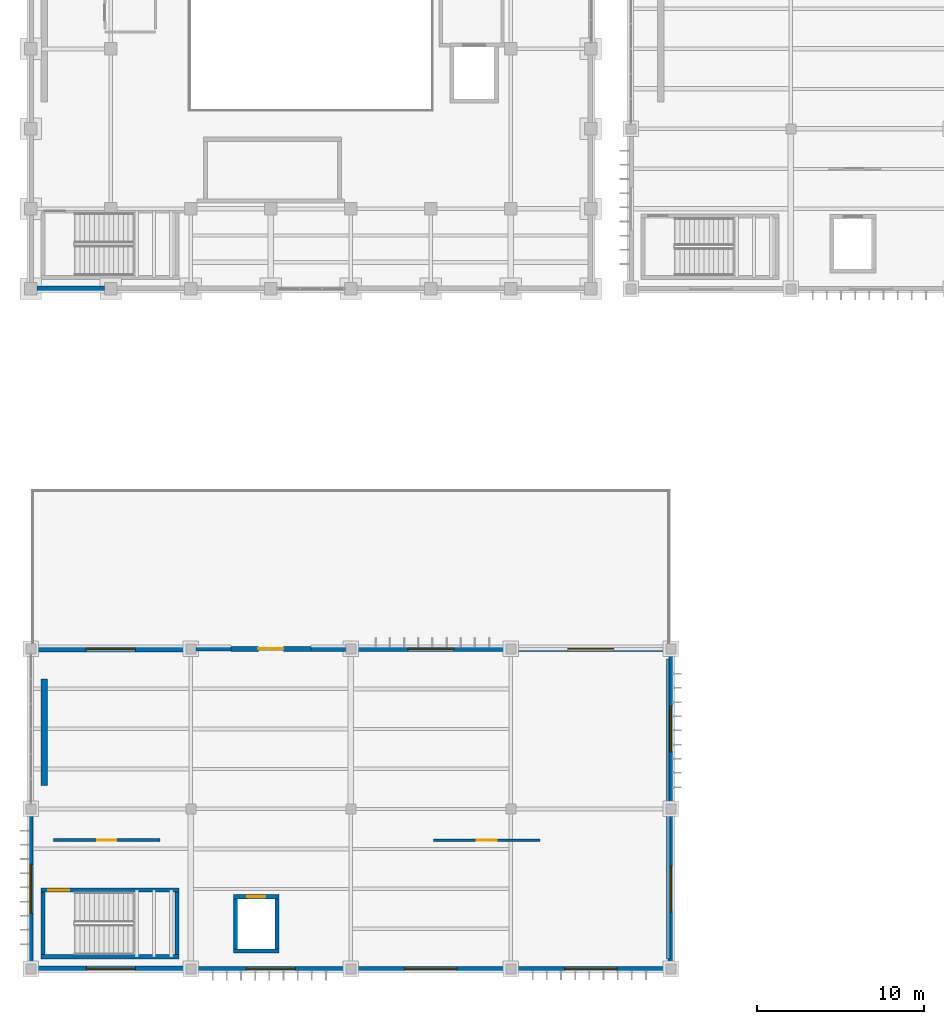
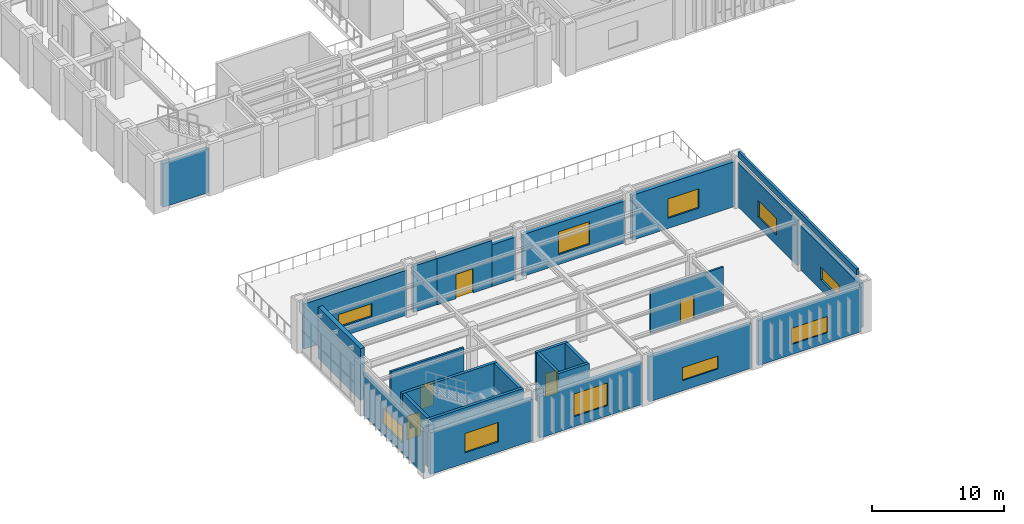
# One storey, part 55 of 83: 26 walls, 10 windows, 5 doors, 15 openings.
"""IFC4 building model written with IfcOpenShell, lengths in metres."""

from ifc_helpers import new_model, si_unit, direction, frame, frame_2d, origin, place, context, subcontext, project, spatial, rectangle, extrude, material, layer, layer_set, type_object, element, fill, save


model = new_model("IFC4")

# Units and contexts
model_context = context("Model", 3, precision=1e-05, world=origin(), true_north=direction((0.0, 1.0)))
body_context = subcontext(model_context, "Body", "Model", "MODEL_VIEW")
ifc_project = project(units=[si_unit("LENGTHUNIT", "METRE"), si_unit("AREAUNIT", "SQUARE_METRE"), si_unit("VOLUMEUNIT", "CUBIC_METRE"), si_unit("PLANEANGLEUNIT", "RADIAN"), si_unit("MASSUNIT", "GRAM", prefix="KILO")], contexts=[model_context])

# Site, building, storey
site_placement = place(None, origin())
site = spatial("IfcSite", under=ifc_project, at=site_placement, CompositionType="ELEMENT")
building_placement = place(site_placement, origin())
building = spatial("IfcBuilding", under=site, at=building_placement, Name="Mavantir Sound Aquarium", CompositionType="ELEMENT")
storey_placement = place(building_placement, frame((0.0, 0.0, 10.5)))
storey = spatial("IfcBuildingStorey", under=building, at=storey_placement, Name="L02", CompositionType="ELEMENT", Elevation=10.5)

# Wall, opening, door
ifc_material_1 = material(Name="Coral-Buff Architectural Precast Concrete C40/50", Category="concrete")
ifc_layer_1 = layer(ifc_material_1, 0.31005859375, Name="Coral-Buff Architectural Precast Concrete C40/50")
ifc_layer_set_1 = layer_set([ifc_layer_1], Name="Coral-Buff Architectural Precast Concrete C40/50")
wall_type_1 = type_object("IfcWallType", Name="EW-CORAL-310", PredefinedType="SOLIDWALL", material=ifc_layer_set_1)
wall_1_placement = place(storey_placement, frame((16.800048828125, 19.199951171875, 0.0), z_axis=(0.0, 0.0, 1.0), x_axis=(-1.0, 0.0, 0.0)))
wall_1 = element("IfcWall", 1, at=wall_1_placement, inside=storey, type_object=wall_type_1, Name="L02 terrace portal wall 14", PredefinedType="SOLIDWALL", context=body_context, shape_type="SweptSolid", body=[
    extrude(rectangle(XDim=4.800048828125, YDim=0.31005859375, at=frame_2d((2.39990234375, 0.0))), origin(), (0.0, 0.0, 1.0), 4.282958984375),
])
opening_1_placement = place(wall_1_placement, frame((3.14990234375, 0.0, 0.0), z_axis=(0.0, 0.0, 1.0), x_axis=(-1.0, 0.0, 0.0)))
opening_1 = element("IfcOpeningElement", 2, at=opening_1_placement, cuts=wall_1, Name="Opening ETD-01", PredefinedType="OPENING", context=body_context, shape_type="SweptSolid", body=[
    extrude(rectangle(XDim=1.5, YDim=2.25, at=frame_2d((0.75, 1.125))), frame((0.0, 0.1650390625, 0.0), z_axis=(0.0, -1.0, 0.0), x_axis=(1.0, 0.0, 0.0)), (0.0, 0.0, 1.0), 0.330078125),
])
ifc_material_2 = material(Name="Marine-Grade Anodised Aluminium and Laminated Glass", Category="aluminium")
door_type_1 = type_object("IfcDoorType", Name="DR-TER-150", OperationType="NOTDEFINED", PredefinedType="DOOR", material=ifc_material_2)
door_1_placement = place(opening_1_placement, origin())
door_1 = element("IfcDoor", 3, at=door_1_placement, inside=storey, type_object=door_type_1, Name="L02 terrace access door 14", OperationType="SINGLE_SWING_LEFT", OverallHeight=2.25, OverallWidth=1.5, PredefinedType="DOOR", context=body_context, shape_type="SweptSolid", body=[
    extrude(rectangle(XDim=1.5, YDim=2.25, at=frame_2d((0.75, 1.125))), frame((0.0, 0.02490234375, 0.0), z_axis=(0.0, -1.0, 0.0), x_axis=(1.0, 0.0, 0.0)), (0.0, 0.0, 1.0), 0.050048828125),
])
fill(opening_1, door_1)

# Wall, opening, window
wall_2_placement = place(storey_placement, frame((28.491943359375, 19.199951171875, 0.0), z_axis=(0.0, 0.0, 1.0), x_axis=(-1.0, 0.0, 0.0)))
wall_2 = element("IfcWall", 4, at=wall_2_placement, inside=storey, type_object=wall_type_1, Name="L02 exterior facade wall EW-02 242", PredefinedType="SOLIDWALL", context=body_context, shape_type="SweptSolid", body=[
    extrude(rectangle(XDim=8.98388671875, YDim=0.31005859375, at=frame_2d((4.491943359375, 0.0))), origin(), (0.0, 0.0, 1.0), 3.875),
])
opening_2_placement = place(wall_2_placement, frame((3.116943359375, 0.0, 0.949951171875)))
opening_2 = element("IfcOpeningElement", 5, at=opening_2_placement, cuts=wall_2, Name="Opening W-40", PredefinedType="OPENING", context=body_context, shape_type="SweptSolid", body=[
    extrude(rectangle(XDim=2.75, YDim=2.10009765625, at=frame_2d((1.375, 1.050048828125))), frame((0.0, 0.1650390625, 0.0), z_axis=(0.0, -1.0, 0.0), x_axis=(1.0, 0.0, 0.0)), (0.0, 0.0, 1.0), 0.330078125),
])
ifc_material_3 = material(Name="Thermally Broken Aluminium and Low-E Glass", Category="aluminium")
window_type_1 = type_object("IfcWindowType", Name="WIN-EXT-40", PartitioningType="TRIPLE_PANEL_VERTICAL", PredefinedType="WINDOW", material=ifc_material_3)
window_1_placement = place(opening_2_placement, origin())
window_1 = element("IfcWindow", 6, at=window_1_placement, inside=storey, type_object=window_type_1, Name="L02 facade window W-40 88", OverallHeight=2.10009765625, OverallWidth=2.75, PartitioningType="SINGLE_PANEL", PredefinedType="WINDOW", context=body_context, shape_type="SweptSolid", body=[
    extrude(rectangle(XDim=2.75, YDim=2.10009765625, at=frame_2d((1.375, 1.050048828125))), frame((0.0, 0.030029296875, 0.0), z_axis=(0.0, -1.0, 0.0), x_axis=(1.0, 0.0, 0.0)), (0.0, 0.0, 1.0), 0.06005859375),
])
fill(opening_2, window_1)

wall_3_placement = place(storey_placement, frame((9.907958984375, 0.0, 0.0), z_axis=(0.0, 0.0, 1.0), x_axis=(1.0, 0.0, 0.0)))
wall_3 = element("IfcWall", 7, at=wall_3_placement, inside=storey, type_object=wall_type_1, Name="L02 exterior facade wall EW-02 248", PredefinedType="SOLIDWALL", context=body_context, shape_type="SweptSolid", body=[
    extrude(rectangle(XDim=8.984130859375, YDim=0.31005859375, at=frame_2d((4.4921875, 0.0))), origin(), (0.0, 0.0, 1.0), 3.875),
])
opening_3_placement = place(wall_3_placement, frame((3.01708984375, 0.0, 0.949951171875)))
opening_3 = element("IfcOpeningElement", 8, at=opening_3_placement, cuts=wall_3, Name="Opening W-44", PredefinedType="OPENING", context=body_context, shape_type="SweptSolid", body=[
    extrude(rectangle(XDim=2.949951171875, YDim=2.10009765625, at=frame_2d((1.47509765625, 1.050048828125))), frame((0.0, 0.1650390625, 0.0), z_axis=(0.0, -1.0, 0.0), x_axis=(1.0, 0.0, 0.0)), (0.0, 0.0, 1.0), 0.330078125),
])
window_type_2 = type_object("IfcWindowType", Name="WIN-EXT-44", PartitioningType="TRIPLE_PANEL_VERTICAL", PredefinedType="WINDOW", material=ifc_material_3)
window_2_placement = place(opening_3_placement, origin())
window_2 = element("IfcWindow", 9, at=window_2_placement, inside=storey, type_object=window_type_2, Name="L02 facade window W-44 92", OverallHeight=2.10009765625, OverallWidth=2.949951171875, PartitioningType="SINGLE_PANEL", PredefinedType="WINDOW", context=body_context, shape_type="SweptSolid", body=[
    extrude(rectangle(XDim=2.949951171875, YDim=2.10009765625, at=frame_2d((1.47509765625, 1.050048828125))), frame((0.0, 0.030029296875, 0.0), z_axis=(0.0, -1.0, 0.0), x_axis=(1.0, 0.0, 0.0)), (0.0, 0.0, 1.0), 0.06005859375),
])
fill(opening_3, window_2)

# Wall
ifc_layer_2 = layer(ifc_material_1, 0.340087890625, Name="Coral-Buff Architectural Precast Concrete C40/50")
ifc_layer_set_2 = layer_set([ifc_layer_2], Name="Coral-Buff Architectural Precast Concrete C40/50")
wall_type_2 = type_object("IfcWallType", Name="EW-CORAL-340", PredefinedType="SOLIDWALL", material=ifc_layer_set_2)
wall_4_placement = place(storey_placement, frame((0.383056640625, 40.800048828125, 0.0), z_axis=(0.0, 0.0, 1.0), x_axis=(1.0, 0.0, 0.0)))
element("IfcWall", 10, at=wall_4_placement, inside=storey, type_object=wall_type_2, Name="L02 exterior facade wall EW-01 225", PredefinedType="SOLIDWALL", context=body_context, shape_type="SweptSolid", body=[
    extrude(rectangle(XDim=4.033935546875, YDim=0.340087890625, at=frame_2d((2.01708984375, 0.0))), origin(), (0.0, 0.0, 1.0), 4.05810546875),
])

# Wall, opening, window
wall_5_placement = place(storey_placement, frame((38.092041015625, 19.199951171875, 0.0), z_axis=(0.0, 0.0, 1.0), x_axis=(-1.0, 0.0, 0.0)))
wall_5 = element("IfcWall", 11, at=wall_5_placement, inside=storey, type_object=wall_type_2, Name="L02 exterior facade wall EW-01 241", PredefinedType="SOLIDWALL", context=body_context, shape_type="SweptSolid", body=[
    extrude(rectangle(XDim=8.984130859375, YDim=0.340087890625, at=frame_2d((4.4921875, 0.0))), origin(), (0.0, 0.0, 1.0), 4.177978515625),
])
opening_4_placement = place(wall_5_placement, frame((3.116943359375, 0.0, 0.949951171875)))
opening_4 = element("IfcOpeningElement", 12, at=opening_4_placement, cuts=wall_5, Name="Opening W-39", PredefinedType="OPENING", context=body_context, shape_type="SweptSolid", body=[
    extrude(rectangle(XDim=2.75, YDim=1.800048828125, at=frame_2d((1.375, 0.89990234375))), frame((0.0, 0.18017578125, 0.0), z_axis=(0.0, -1.0, 0.0), x_axis=(1.0, 0.0, 0.0)), (0.0, 0.0, 1.0), 0.360107421875),
])
window_type_3 = type_object("IfcWindowType", Name="WIN-EXT-39", PartitioningType="TRIPLE_PANEL_VERTICAL", PredefinedType="WINDOW", material=ifc_material_3)
window_3_placement = place(opening_4_placement, origin())
window_3 = element("IfcWindow", 13, at=window_3_placement, inside=storey, type_object=window_type_3, Name="L02 facade window W-39 87", OverallHeight=1.800048828125, OverallWidth=2.75, PartitioningType="SINGLE_PANEL", PredefinedType="WINDOW", context=body_context, shape_type="SweptSolid", body=[
    extrude(rectangle(XDim=2.75, YDim=1.800048828125, at=frame_2d((1.375, 0.89990234375))), frame((0.0, 0.030029296875, 0.0), z_axis=(0.0, -1.0, 0.0), x_axis=(1.0, 0.0, 0.0)), (0.0, 0.0, 1.0), 0.06005859375),
])
fill(opening_4, window_3)

wall_6_placement = place(storey_placement, frame((0.30810546875, 0.0, 0.0), z_axis=(0.0, 0.0, 1.0), x_axis=(1.0, 0.0, 0.0)))
wall_6 = element("IfcWall", 14, at=wall_6_placement, inside=storey, type_object=wall_type_2, Name="L02 exterior facade wall EW-01 247", PredefinedType="SOLIDWALL", context=body_context, shape_type="SweptSolid", body=[
    extrude(rectangle(XDim=8.98388671875, YDim=0.340087890625, at=frame_2d((4.491943359375, 0.0))), origin(), (0.0, 0.0, 1.0), 3.875),
])
opening_5_placement = place(wall_6_placement, frame((3.01708984375, 0.0, 0.949951171875)))
opening_5 = element("IfcOpeningElement", 15, at=opening_5_placement, cuts=wall_6, Name="Opening W-43", PredefinedType="OPENING", context=body_context, shape_type="SweptSolid", body=[
    extrude(rectangle(XDim=2.949951171875, YDim=1.800048828125, at=frame_2d((1.47509765625, 0.89990234375))), frame((0.0, 0.18017578125, 0.0), z_axis=(0.0, -1.0, 0.0), x_axis=(1.0, 0.0, 0.0)), (0.0, 0.0, 1.0), 0.360107421875),
])
window_type_4 = type_object("IfcWindowType", Name="WIN-EXT-43", PartitioningType="TRIPLE_PANEL_VERTICAL", PredefinedType="WINDOW", material=ifc_material_3)
window_4_placement = place(opening_5_placement, origin())
window_4 = element("IfcWindow", 16, at=window_4_placement, inside=storey, type_object=window_type_4, Name="L02 facade window W-43 91", OverallHeight=1.800048828125, OverallWidth=2.949951171875, PartitioningType="SINGLE_PANEL", PredefinedType="WINDOW", context=body_context, shape_type="SweptSolid", body=[
    extrude(rectangle(XDim=2.949951171875, YDim=1.800048828125, at=frame_2d((1.47509765625, 0.89990234375))), frame((0.0, 0.030029296875, 0.0), z_axis=(0.0, -1.0, 0.0), x_axis=(1.0, 0.0, 0.0)), (0.0, 0.0, 1.0), 0.06005859375),
])
fill(opening_5, window_4)

# Wall
ifc_layer_3 = layer(ifc_material_1, 0.2099609375, Name="Coral-Buff Architectural Precast Concrete C40/50")
ifc_layer_set_3 = layer_set([ifc_layer_3], Name="Coral-Buff Architectural Precast Concrete C40/50")
wall_type_3 = type_object("IfcWallType", Name="EW-PAR-210", PredefinedType="PARAPET", material=ifc_layer_set_3)
wall_7_placement = place(storey_placement, frame((38.25, 0.60009765625, 4.800048828125), z_axis=(0.0, 0.0, 1.0), x_axis=(0.0, 1.0, 0.0)))
element("IfcWall", 17, at=wall_7_placement, inside=storey, type_object=wall_type_3, Name="Roof gravel-stop parapet 3A", PredefinedType="PARAPET", context=body_context, shape_type="SweptSolid", body=[
    extrude(rectangle(XDim=18.0, YDim=0.2099609375, at=frame_2d((9.0, 0.0))), origin(), (0.0, 0.0, 1.0), 0.550048828125),
])

# Wall, opening, window
ifc_material_4 = material(Name="Architectural Precast Concrete C40/50", Category="concrete")
ifc_layer_4 = layer(ifc_material_4, 0.239990234375, Name="Architectural Precast Concrete C40/50")
ifc_layer_set_4 = layer_set([ifc_layer_4], Name="Architectural Precast Concrete C40/50")
wall_type_4 = type_object("IfcWallType", Name="EW-PRE-240", PredefinedType="SOLIDWALL", material=ifc_layer_set_4)
wall_8_placement = place(storey_placement, frame((38.39990234375, 9.907958984375, 0.0), z_axis=(0.0, 0.0, 1.0), x_axis=(0.0, 1.0, 0.0)))
wall_8 = element("IfcWall", 18, at=wall_8_placement, inside=storey, type_object=wall_type_4, Name="L02 exterior facade wall EW-06 240", PredefinedType="SOLIDWALL", context=body_context, shape_type="SweptSolid", body=[
    extrude(rectangle(XDim=8.984130859375, YDim=0.239990234375, at=frame_2d((4.4921875, 0.0))), origin(), (0.0, 0.0, 1.0), 4.123046875),
])
opening_6_placement = place(wall_8_placement, frame((3.116943359375, 0.0, 0.949951171875)))
opening_6 = element("IfcOpeningElement", 19, at=opening_6_placement, cuts=wall_8, Name="Opening W-38", PredefinedType="OPENING", context=body_context, shape_type="SweptSolid", body=[
    extrude(rectangle(XDim=2.75, YDim=1.5, at=frame_2d((1.375, 0.75))), frame((0.0, 0.1298828125, 0.0), z_axis=(0.0, -1.0, 0.0), x_axis=(1.0, 0.0, 0.0)), (0.0, 0.0, 1.0), 0.260009765625),
])
window_type_5 = type_object("IfcWindowType", Name="WIN-EXT-38", PartitioningType="TRIPLE_PANEL_VERTICAL", PredefinedType="WINDOW", material=ifc_material_3)
window_5_placement = place(opening_6_placement, origin())
window_5 = element("IfcWindow", 20, at=window_5_placement, inside=storey, type_object=window_type_5, Name="L02 facade window W-38 86", OverallHeight=1.5, OverallWidth=2.75, PartitioningType="SINGLE_PANEL", PredefinedType="WINDOW", context=body_context, shape_type="SweptSolid", body=[
    extrude(rectangle(XDim=2.75, YDim=1.5, at=frame_2d((1.375, 0.75))), frame((0.0, 0.030029296875, 0.0), z_axis=(0.0, -1.0, 0.0), x_axis=(1.0, 0.0, 0.0)), (0.0, 0.0, 1.0), 0.06005859375),
])
fill(opening_6, window_5)

wall_9_placement = place(storey_placement, frame((0.0, 9.2919921875, 0.0), z_axis=(0.0, 0.0, 1.0), x_axis=(0.0, -1.0, 0.0)))
wall_9 = element("IfcWall", 21, at=wall_9_placement, inside=storey, type_object=wall_type_4, Name="L02 exterior facade wall EW-06 246", PredefinedType="SOLIDWALL", context=body_context, shape_type="SweptSolid", body=[
    extrude(rectangle(XDim=8.98388671875, YDim=0.239990234375, at=frame_2d((4.491943359375, 0.0))), origin(), (0.0, 0.0, 1.0), 3.8740234375),
])
opening_7_placement = place(wall_9_placement, frame((3.01708984375, 0.0, 0.949951171875)))
opening_7 = element("IfcOpeningElement", 22, at=opening_7_placement, cuts=wall_9, Name="Opening W-42", PredefinedType="OPENING", context=body_context, shape_type="SweptSolid", body=[
    extrude(rectangle(XDim=2.949951171875, YDim=1.5, at=frame_2d((1.47509765625, 0.75))), frame((0.0, 0.1298828125, 0.0), z_axis=(0.0, -1.0, 0.0), x_axis=(1.0, 0.0, 0.0)), (0.0, 0.0, 1.0), 0.260009765625),
])
window_type_6 = type_object("IfcWindowType", Name="WIN-EXT-42", PartitioningType="TRIPLE_PANEL_VERTICAL", PredefinedType="WINDOW", material=ifc_material_3)
window_6_placement = place(opening_7_placement, origin())
window_6 = element("IfcWindow", 23, at=window_6_placement, inside=storey, type_object=window_type_6, Name="L02 facade window W-42 90", OverallHeight=1.5, OverallWidth=2.949951171875, PartitioningType="SINGLE_PANEL", PredefinedType="WINDOW", context=body_context, shape_type="SweptSolid", body=[
    extrude(rectangle(XDim=2.949951171875, YDim=1.5, at=frame_2d((1.47509765625, 0.75))), frame((0.0, 0.030029296875, 0.0), z_axis=(0.0, -1.0, 0.0), x_axis=(1.0, 0.0, 0.0)), (0.0, 0.0, 1.0), 0.06005859375),
])
fill(opening_7, window_6)

ifc_layer_5 = layer(ifc_material_1, 0.360107421875, Name="Coral-Buff Architectural Precast Concrete C40/50")
ifc_layer_set_5 = layer_set([ifc_layer_5], Name="Coral-Buff Architectural Precast Concrete C40/50")
wall_type_5 = type_object("IfcWallType", Name="EW-PRE-360", PredefinedType="SOLIDWALL", material=ifc_layer_set_5)
wall_10_placement = place(storey_placement, frame((38.39990234375, 0.30810546875, 0.0), z_axis=(0.0, 0.0, 1.0), x_axis=(0.0, 1.0, 0.0)))
wall_10 = element("IfcWall", 24, at=wall_10_placement, inside=storey, type_object=wall_type_5, Name="L02 exterior facade wall EW-05 239", PredefinedType="SOLIDWALL", context=body_context, shape_type="SweptSolid", body=[
    extrude(rectangle(XDim=8.98388671875, YDim=0.360107421875, at=frame_2d((4.491943359375, 0.0))), origin(), (0.0, 0.0, 1.0), 4.123046875),
])
opening_8_placement = place(wall_10_placement, frame((3.116943359375, 0.0, 0.949951171875)))
opening_8 = element("IfcOpeningElement", 25, at=opening_8_placement, cuts=wall_10, Name="Opening W-37", PredefinedType="OPENING", context=body_context, shape_type="SweptSolid", body=[
    extrude(rectangle(XDim=2.75, YDim=1.199951171875, at=frame_2d((1.375, 0.60009765625))), frame((0.0, 0.18994140625, 0.0), z_axis=(0.0, -1.0, 0.0), x_axis=(1.0, 0.0, 0.0)), (0.0, 0.0, 1.0), 0.380126953125),
])
window_type_7 = type_object("IfcWindowType", Name="WIN-EXT-37", PartitioningType="TRIPLE_PANEL_VERTICAL", PredefinedType="WINDOW", material=ifc_material_3)
window_7_placement = place(opening_8_placement, origin())
window_7 = element("IfcWindow", 26, at=window_7_placement, inside=storey, type_object=window_type_7, Name="L02 facade window W-37 85", OverallHeight=1.199951171875, OverallWidth=2.75, PartitioningType="SINGLE_PANEL", PredefinedType="WINDOW", context=body_context, shape_type="SweptSolid", body=[
    extrude(rectangle(XDim=2.75, YDim=1.199951171875, at=frame_2d((1.375, 0.60009765625))), frame((0.0, 0.030029296875, 0.0), z_axis=(0.0, -1.0, 0.0), x_axis=(1.0, 0.0, 0.0)), (0.0, 0.0, 1.0), 0.06005859375),
])
fill(opening_8, window_7)

wall_11_placement = place(storey_placement, frame((9.2919921875, 19.199951171875, 0.0), z_axis=(0.0, 0.0, 1.0), x_axis=(-1.0, 0.0, 0.0)))
wall_11 = element("IfcWall", 27, at=wall_11_placement, inside=storey, type_object=wall_type_5, Name="L02 exterior facade wall EW-05 245", PredefinedType="SOLIDWALL", context=body_context, shape_type="SweptSolid", body=[
    extrude(rectangle(XDim=8.98388671875, YDim=0.360107421875, at=frame_2d((4.491943359375, 0.0))), origin(), (0.0, 0.0, 1.0), 4.177978515625),
])
opening_9_placement = place(wall_11_placement, frame((3.01708984375, 0.0, 0.949951171875)))
opening_9 = element("IfcOpeningElement", 28, at=opening_9_placement, cuts=wall_11, Name="Opening W-41", PredefinedType="OPENING", context=body_context, shape_type="SweptSolid", body=[
    extrude(rectangle(XDim=2.949951171875, YDim=1.199951171875, at=frame_2d((1.47509765625, 0.60009765625))), frame((0.0, 0.18994140625, 0.0), z_axis=(0.0, -1.0, 0.0), x_axis=(1.0, 0.0, 0.0)), (0.0, 0.0, 1.0), 0.380126953125),
])
window_type_8 = type_object("IfcWindowType", Name="WIN-EXT-41", PartitioningType="TRIPLE_PANEL_VERTICAL", PredefinedType="WINDOW", material=ifc_material_3)
window_8_placement = place(opening_9_placement, origin())
window_8 = element("IfcWindow", 29, at=window_8_placement, inside=storey, type_object=window_type_8, Name="L02 facade window W-41 89", OverallHeight=1.199951171875, OverallWidth=2.949951171875, PartitioningType="SINGLE_PANEL", PredefinedType="WINDOW", context=body_context, shape_type="SweptSolid", body=[
    extrude(rectangle(XDim=2.949951171875, YDim=1.199951171875, at=frame_2d((1.47509765625, 0.60009765625))), frame((0.0, 0.030029296875, 0.0), z_axis=(0.0, -1.0, 0.0), x_axis=(1.0, 0.0, 0.0)), (0.0, 0.0, 1.0), 0.06005859375),
])
fill(opening_9, window_8)

# Wall
ifc_material_5 = material(Name="Cerulean Glazed Terracotta Rainscreen on Concrete C40/50", Category="masonry")
ifc_layer_6 = layer(ifc_material_5, 0.27001953125, Name="Cerulean Glazed Terracotta Rainscreen on Concrete C40/50")
ifc_layer_set_6 = layer_set([ifc_layer_6], Name="Cerulean Glazed Terracotta Rainscreen on Concrete C40/50")
wall_type_6 = type_object("IfcWallType", Name="EW-TERRA-270", PredefinedType="SOLIDWALL", material=ifc_layer_set_6)
wall_12_placement = place(storey_placement, frame((11.9951171875, 19.199951171875, 0.0), z_axis=(0.0, 0.0, 1.0), x_axis=(-1.0, 0.0, 0.0)))
element("IfcWall", 30, at=wall_12_placement, inside=storey, type_object=wall_type_6, Name="L02 exterior facade wall EW-04 244", PredefinedType="SOLIDWALL", context=body_context, shape_type="SweptSolid", body=[
    extrude(rectangle(XDim=2.087158203125, YDim=0.27001953125, at=frame_2d((1.04345703125, 0.0))), origin(), (0.0, 0.0, 1.0), 4.282958984375),
])

# Wall, opening, window
wall_13_placement = place(storey_placement, frame((29.10791015625, 0.0, 0.0), z_axis=(0.0, 0.0, 1.0), x_axis=(1.0, 0.0, 0.0)))
wall_13 = element("IfcWall", 31, at=wall_13_placement, inside=storey, type_object=wall_type_6, Name="L02 exterior facade wall EW-04 250", PredefinedType="SOLIDWALL", context=body_context, shape_type="SweptSolid", body=[
    extrude(rectangle(XDim=8.984130859375, YDim=0.27001953125, at=frame_2d((4.4921875, 0.0))), origin(), (0.0, 0.0, 1.0), 4.177978515625),
])
opening_10_placement = place(wall_13_placement, frame((2.9169921875, 0.0, 0.949951171875)))
opening_10 = element("IfcOpeningElement", 32, at=opening_10_placement, cuts=wall_13, Name="Opening W-46", PredefinedType="OPENING", context=body_context, shape_type="SweptSolid", body=[
    extrude(rectangle(XDim=3.14990234375, YDim=1.5, at=frame_2d((1.574951171875, 0.75))), frame((0.0, 0.14501953125, 0.0), z_axis=(0.0, -1.0, 0.0), x_axis=(1.0, 0.0, 0.0)), (0.0, 0.0, 1.0), 0.2900390625),
])
window_type_9 = type_object("IfcWindowType", Name="WIN-EXT-46", PartitioningType="TRIPLE_PANEL_VERTICAL", PredefinedType="WINDOW", material=ifc_material_3)
window_9_placement = place(opening_10_placement, origin())
window_9 = element("IfcWindow", 33, at=window_9_placement, inside=storey, type_object=window_type_9, Name="L02 facade window W-46 94", OverallHeight=1.5, OverallWidth=3.14990234375, PartitioningType="SINGLE_PANEL", PredefinedType="WINDOW", context=body_context, shape_type="SweptSolid", body=[
    extrude(rectangle(XDim=3.14990234375, YDim=1.5, at=frame_2d((1.574951171875, 0.75))), frame((0.0, 0.030029296875, 0.0), z_axis=(0.0, -1.0, 0.0), x_axis=(1.0, 0.0, 0.0)), (0.0, 0.0, 1.0), 0.06005859375),
])
fill(opening_10, window_9)

# Wall
ifc_material_6 = material(Name="Turquoise Glazed Terracotta Rainscreen on Concrete C40/50", Category="masonry")
ifc_layer_7 = layer(ifc_material_6, 0.2900390625, Name="Turquoise Glazed Terracotta Rainscreen on Concrete C40/50")
ifc_layer_set_7 = layer_set([ifc_layer_7], Name="Turquoise Glazed Terracotta Rainscreen on Concrete C40/50")
wall_type_7 = type_object("IfcWallType", Name="EW-TERRA-290", PredefinedType="SOLIDWALL", material=ifc_layer_set_7)
wall_14_placement = place(storey_placement, frame((18.89208984375, 19.199951171875, 0.0), z_axis=(0.0, 0.0, 1.0), x_axis=(-1.0, 0.0, 0.0)))
element("IfcWall", 34, at=wall_14_placement, inside=storey, type_object=wall_type_7, Name="L02 exterior facade wall EW-03 243", PredefinedType="SOLIDWALL", context=body_context, shape_type="SweptSolid", body=[
    extrude(rectangle(XDim=2.087158203125, YDim=0.2900390625, at=frame_2d((1.04345703125, 0.0))), origin(), (0.0, 0.0, 1.0), 3.875),
])

# Wall, opening, window
wall_15_placement = place(storey_placement, frame((19.508056640625, 0.0, 0.0), z_axis=(0.0, 0.0, 1.0), x_axis=(1.0, 0.0, 0.0)))
wall_15 = element("IfcWall", 35, at=wall_15_placement, inside=storey, type_object=wall_type_7, Name="L02 exterior facade wall EW-03 249", PredefinedType="SOLIDWALL", context=body_context, shape_type="SweptSolid", body=[
    extrude(rectangle(XDim=8.98388671875, YDim=0.2900390625, at=frame_2d((4.491943359375, 0.0))), origin(), (0.0, 0.0, 1.0), 4.177978515625),
])
opening_11_placement = place(wall_15_placement, frame((2.9169921875, 0.0, 0.949951171875)))
opening_11 = element("IfcOpeningElement", 36, at=opening_11_placement, cuts=wall_15, Name="Opening W-45", PredefinedType="OPENING", context=body_context, shape_type="SweptSolid", body=[
    extrude(rectangle(XDim=3.14990234375, YDim=1.199951171875, at=frame_2d((1.574951171875, 0.60009765625))), frame((0.0, 0.155029296875, 0.0), z_axis=(0.0, -1.0, 0.0), x_axis=(1.0, 0.0, 0.0)), (0.0, 0.0, 1.0), 0.31005859375),
])
window_type_10 = type_object("IfcWindowType", Name="WIN-EXT-45", PartitioningType="TRIPLE_PANEL_VERTICAL", PredefinedType="WINDOW", material=ifc_material_3)
window_10_placement = place(opening_11_placement, origin())
window_10 = element("IfcWindow", 37, at=window_10_placement, inside=storey, type_object=window_type_10, Name="L02 facade window W-45 93", OverallHeight=1.199951171875, OverallWidth=3.14990234375, PartitioningType="SINGLE_PANEL", PredefinedType="WINDOW", context=body_context, shape_type="SweptSolid", body=[
    extrude(rectangle(XDim=3.14990234375, YDim=1.199951171875, at=frame_2d((1.574951171875, 0.60009765625))), frame((0.0, 0.030029296875, 0.0), z_axis=(0.0, -1.0, 0.0), x_axis=(1.0, 0.0, 0.0)), (0.0, 0.0, 1.0), 0.06005859375),
])
fill(opening_11, window_10)

# Wall, opening, door
ifc_material_7 = material(Name="Acoustic Metal-Stud Gypsum Partition", Category="gypsum")
ifc_layer_8 = layer(ifc_material_7, 0.159912109375, Name="Acoustic Metal-Stud Gypsum Partition")
ifc_layer_set_8 = layer_set([ifc_layer_8], Name="Acoustic Metal-Stud Gypsum Partition")
wall_type_8 = type_object("IfcWallType", Name="IW-PART-160", PredefinedType="PARTITIONING", material=ifc_layer_set_8)
wall_16_placement = place(storey_placement, frame((24.14990234375, 7.72509765625, 0.0), z_axis=(0.0, 0.0, 1.0), x_axis=(1.0, 0.0, 0.0)))
wall_16 = element("IfcWall", 38, at=wall_16_placement, inside=storey, type_object=wall_type_8, Name="L02 Education Teacher Resource and Seminar Suite entry partition", PredefinedType="PARTITIONING", context=body_context, shape_type="SweptSolid", body=[
    extrude(rectangle(XDim=6.400146484375, YDim=0.159912109375, at=frame_2d((3.2001953125, 0.0))), origin(), (0.0, 0.0, 1.0), 3.94189453125),
])
opening_12_placement = place(wall_16_placement, frame((2.610107421875, 0.0, 0.0)))
opening_12 = element("IfcOpeningElement", 39, at=opening_12_placement, cuts=wall_16, Name="Opening ID-08", PredefinedType="OPENING", context=body_context, shape_type="SweptSolid", body=[
    extrude(rectangle(XDim=1.179931640625, YDim=2.219970703125, at=frame_2d((0.58984375, 1.10986328125))), frame((0.0, 0.08984375, 0.0), z_axis=(0.0, -1.0, 0.0), x_axis=(1.0, 0.0, 0.0)), (0.0, 0.0, 1.0), 0.179931640625),
])
ifc_material_8 = material(Name="Solid-Core Marine Hardwood and Vision-Panel Door", Category="wood")
door_type_2 = type_object("IfcDoorType", Name="DR-INT-08", OperationType="NOTDEFINED", PredefinedType="DOOR", material=ifc_material_8)
door_2_placement = place(opening_12_placement, origin())
door_2 = element("IfcDoor", 40, at=door_2_placement, inside=storey, type_object=door_type_2, Name="Education Teacher Resource and Seminar Suite door", OperationType="SINGLE_SWING_RIGHT", OverallHeight=2.219970703125, OverallWidth=1.179931640625, PredefinedType="DOOR", context=body_context, shape_type="SweptSolid", body=[
    extrude(rectangle(XDim=1.179931640625, YDim=2.219970703125, at=frame_2d((0.58984375, 1.10986328125))), frame((0.0, 0.02490234375, 0.0), z_axis=(0.0, -1.0, 0.0), x_axis=(1.0, 0.0, 0.0)), (0.0, 0.0, 1.0), 0.050048828125),
])
fill(opening_12, door_2)

ifc_layer_9 = layer(ifc_material_7, 0.179931640625, Name="Acoustic Metal-Stud Gypsum Partition")
ifc_layer_set_9 = layer_set([ifc_layer_9], Name="Acoustic Metal-Stud Gypsum Partition")
wall_type_9 = type_object("IfcWallType", Name="IW-PART-180", PredefinedType="PARTITIONING", material=ifc_layer_set_9)
wall_17_placement = place(storey_placement, frame((1.35009765625, 7.72509765625, 0.0), z_axis=(0.0, 0.0, 1.0), x_axis=(1.0, 0.0, 0.0)))
wall_17 = element("IfcWall", 41, at=wall_17_placement, inside=storey, type_object=wall_type_9, Name="L02 Education School Teaching Classrooms entry partition", PredefinedType="PARTITIONING", context=body_context, shape_type="SweptSolid", body=[
    extrude(rectangle(XDim=6.39990234375, YDim=0.179931640625, at=frame_2d((3.199951171875, 0.0))), origin(), (0.0, 0.0, 1.0), 4.43994140625),
])
opening_13_placement = place(wall_17_placement, frame((2.6298828125, 0.0, 0.0)))
opening_13 = element("IfcOpeningElement", 42, at=opening_13_placement, cuts=wall_17, Name="Opening ID-07", PredefinedType="OPENING", context=body_context, shape_type="SweptSolid", body=[
    extrude(rectangle(XDim=1.139892578125, YDim=2.219970703125, at=frame_2d((0.56982421875, 1.10986328125))), frame((0.0, 0.10009765625, 0.0), z_axis=(0.0, -1.0, 0.0), x_axis=(1.0, 0.0, 0.0)), (0.0, 0.0, 1.0), 0.199951171875),
])
door_type_3 = type_object("IfcDoorType", Name="DR-INT-07", OperationType="NOTDEFINED", PredefinedType="DOOR", material=ifc_material_8)
door_3_placement = place(opening_13_placement, origin())
door_3 = element("IfcDoor", 43, at=door_3_placement, inside=storey, type_object=door_type_3, Name="Education School Teaching Classrooms door", OperationType="SINGLE_SWING_LEFT", OverallHeight=2.219970703125, OverallWidth=1.139892578125, PredefinedType="DOOR", context=body_context, shape_type="SweptSolid", body=[
    extrude(rectangle(XDim=1.139892578125, YDim=2.219970703125, at=frame_2d((0.56982421875, 1.10986328125))), frame((0.0, 0.02490234375, 0.0), z_axis=(0.0, -1.0, 0.0), x_axis=(1.0, 0.0, 0.0)), (0.0, 0.0, 1.0), 0.050048828125),
])
fill(opening_13, door_3)

# Wall
ifc_material_9 = material(Name="Concrete C40/50", Category="concrete")
ifc_layer_10 = layer(ifc_material_9, 0.25, Name="Concrete C40/50")
ifc_layer_set_10 = layer_set([ifc_layer_10], Name="Concrete C40/50")
wall_type_10 = type_object("IfcWallType", Name="IW-SHAFT-250", PredefinedType="SHEAR", material=ifc_layer_set_10)
wall_18_placement = place(storey_placement, frame((0.60009765625, 0.72509765625, 0.0), z_axis=(0.0, 0.0, 1.0), x_axis=(1.0, 0.0, 0.0)))
element("IfcWall", 44, at=wall_18_placement, inside=storey, type_object=wall_type_10, Name="L02 stair ST3 shaft wall S", PredefinedType="SHEAR", context=body_context, shape_type="SweptSolid", body=[
    extrude(rectangle(XDim=8.2998046875, YDim=0.25, at=frame_2d((4.14990234375, 0.0))), origin(), (0.0, 0.0, 1.0), 4.52001953125),
])

# Wall, opening, door
wall_19_placement = place(storey_placement, frame((8.89990234375, 4.72509765625, 0.0), z_axis=(0.0, 0.0, 1.0), x_axis=(-1.0, 0.0, 0.0)))
wall_19 = element("IfcWall", 45, at=wall_19_placement, inside=storey, type_object=wall_type_10, Name="L02 stair ST3 shaft wall N", PredefinedType="SHEAR", context=body_context, shape_type="SweptSolid", body=[
    extrude(rectangle(XDim=8.2998046875, YDim=0.25, at=frame_2d((4.14990234375, 0.0))), origin(), (0.0, 0.0, 1.0), 4.52001953125),
])
opening_14_placement = place(wall_19_placement, frame((7.85009765625, 0.0, 0.0), z_axis=(0.0, 0.0, 1.0), x_axis=(-1.0, 0.0, 0.0)))
opening_14 = element("IfcOpeningElement", 46, at=opening_14_placement, cuts=wall_19, Name="Opening SD-01", PredefinedType="OPENING", context=body_context, shape_type="SweptSolid", body=[
    extrude(rectangle(XDim=1.25, YDim=2.199951171875, at=frame_2d((0.625, 1.10009765625))), frame((0.0, 0.135009765625, 0.0), z_axis=(0.0, -1.0, 0.0), x_axis=(1.0, 0.0, 0.0)), (0.0, 0.0, 1.0), 0.27001953125),
])
ifc_material_10 = material(Name="Fire-Rated Steel Acoustic Door Leaf", Category="steel")
door_type_4 = type_object("IfcDoorType", Name="DR-ST-125", OperationType="NOTDEFINED", PredefinedType="DOOR", material=ifc_material_10)
door_4_placement = place(opening_14_placement, origin())
door_4 = element("IfcDoor", 47, at=door_4_placement, inside=storey, type_object=door_type_4, Name="L02 protected exit stair ST3 door", OperationType="SINGLE_SWING_LEFT", OverallHeight=2.199951171875, OverallWidth=1.25, PredefinedType="DOOR", context=body_context, shape_type="SweptSolid", body=[
    extrude(rectangle(XDim=1.25, YDim=2.199951171875, at=frame_2d((0.625, 1.10009765625))), frame((0.0, 0.02490234375, 0.0), z_axis=(0.0, -1.0, 0.0), x_axis=(1.0, 0.0, 0.0)), (0.0, 0.0, 1.0), 0.050048828125),
])
fill(opening_14, door_4)

# Walls
for number, where, z_axis, x_axis, name in (
    (48, (0.72509765625, 4.60009765625, 0.0), (0.0, 0.0, 1.0), (0.0, -1.0, 0.0), "L02 stair ST3 shaft wall W"),
    (49, (8.77490234375, 0.85009765625, 0.0), (0.0, 0.0, 1.0), (0.0, 1.0, 0.0), "L02 stair ST3 shaft wall E"),
):
    element("IfcWall", number, at=place(storey_placement, frame(where, z_axis=z_axis, x_axis=x_axis)), inside=storey, type_object=wall_type_10, Name=name, PredefinedType="SHEAR", context=body_context, shape_type="SweptSolid", body=[
        extrude(rectangle(XDim=3.75, YDim=0.25, at=frame_2d((1.875, 0.0))), origin(), (0.0, 0.0, 1.0), 4.52001953125),
    ])
wall_20_placement = place(storey_placement, frame((12.14990234375, 1.074951171875, 0.0), z_axis=(0.0, 0.0, 1.0), x_axis=(1.0, 0.0, 0.0)))
element("IfcWall", 50, at=wall_20_placement, inside=storey, type_object=wall_type_10, Name="L02 lift LC3 shaft wall S", PredefinedType="SHEAR", context=body_context, shape_type="SweptSolid", body=[
    extrude(rectangle(XDim=2.75, YDim=0.25, at=frame_2d((1.375, 0.0))), origin(), (0.0, 0.0, 1.0), 4.52001953125),
])

# Wall, opening, door
wall_21_placement = place(storey_placement, frame((12.14990234375, 4.324951171875, 0.0), z_axis=(0.0, 0.0, 1.0), x_axis=(1.0, 0.0, 0.0)))
wall_21 = element("IfcWall", 51, at=wall_21_placement, inside=storey, type_object=wall_type_10, Name="L02 lift LC3 shaft wall N", PredefinedType="SHEAR", context=body_context, shape_type="SweptSolid", body=[
    extrude(rectangle(XDim=2.75, YDim=0.25, at=frame_2d((1.375, 0.0))), origin(), (0.0, 0.0, 1.0), 4.52001953125),
])
opening_15_placement = place(wall_21_placement, frame((0.824951171875, 0.0, 0.0)))
opening_15 = element("IfcOpeningElement", 52, at=opening_15_placement, cuts=wall_21, Name="Opening LD-02", PredefinedType="OPENING", context=body_context, shape_type="SweptSolid", body=[
    extrude(rectangle(XDim=1.10009765625, YDim=2.199951171875, at=frame_2d((0.550048828125, 1.10009765625))), frame((0.0, 0.135009765625, 0.0), z_axis=(0.0, -1.0, 0.0), x_axis=(1.0, 0.0, 0.0)), (0.0, 0.0, 1.0), 0.27001953125),
])
ifc_material_11 = material(Name="Stainless Steel 316 Sliding Lift Landing Door", Category="steel")
door_type_5 = type_object("IfcDoorType", Name="DR-LD-110", OperationType="NOTDEFINED", PredefinedType="DOOR", material=ifc_material_11)
door_5_placement = place(opening_15_placement, origin())
door_5 = element("IfcDoor", 53, at=door_5_placement, inside=storey, type_object=door_type_5, Name="Lift LC3 sliding landing door (L02)", OperationType="DOUBLE_DOOR_SLIDING", OverallHeight=2.199951171875, OverallWidth=1.10009765625, PredefinedType="DOOR", context=body_context, shape_type="SweptSolid", body=[
    extrude(rectangle(XDim=1.10009765625, YDim=2.199951171875, at=frame_2d((0.550048828125, 1.10009765625))), frame((0.0, 0.02490234375, 0.0), z_axis=(0.0, -1.0, 0.0), x_axis=(1.0, 0.0, 0.0)), (0.0, 0.0, 1.0), 0.050048828125),
])
fill(opening_15, door_5)

# Walls
for number, where, z_axis, x_axis, name in (
    (54, (12.27490234375, 1.199951171875, 0.0), (0.0, 0.0, 1.0), (0.0, 1.0, 0.0), "L02 lift LC3 shaft wall W"),
    (55, (14.77490234375, 1.199951171875, 0.0), (0.0, 0.0, 1.0), (0.0, 1.0, 0.0), "L02 lift LC3 shaft wall E"),
):
    element("IfcWall", number, at=place(storey_placement, frame(where, z_axis=z_axis, x_axis=x_axis)), inside=storey, type_object=wall_type_10, Name=name, PredefinedType="SHEAR", context=body_context, shape_type="SweptSolid", body=[
        extrude(rectangle(XDim=3.0, YDim=0.25, at=frame_2d((1.5, 0.0))), origin(), (0.0, 0.0, 1.0), 4.52001953125),
    ])
ifc_layer_11 = layer(ifc_material_9, 0.3798828125, Name="Concrete C40/50")
ifc_layer_set_11 = layer_set([ifc_layer_11], Name="Concrete C40/50")
wall_type_11 = type_object("IfcWallType", Name="SW-SHR-380", PredefinedType="SHEAR", material=ifc_layer_set_11)
wall_22_placement = place(storey_placement, frame((0.800048828125, 11.0, 0.0), z_axis=(0.0, 0.0, 1.0), x_axis=(0.0, 1.0, 0.0)))
element("IfcWall", 56, at=wall_22_placement, inside=storey, type_object=wall_type_11, Name="L02 special RC shear wall 22 (V3)", PredefinedType="SHEAR", context=body_context, shape_type="SweptSolid", body=[
    extrude(rectangle(XDim=6.39990234375, YDim=0.3798828125, at=frame_2d((3.199951171875, 0.0))), origin(), (0.0, 0.0, 1.0), 4.800048828125),
])

save(model, "model.ifc")
